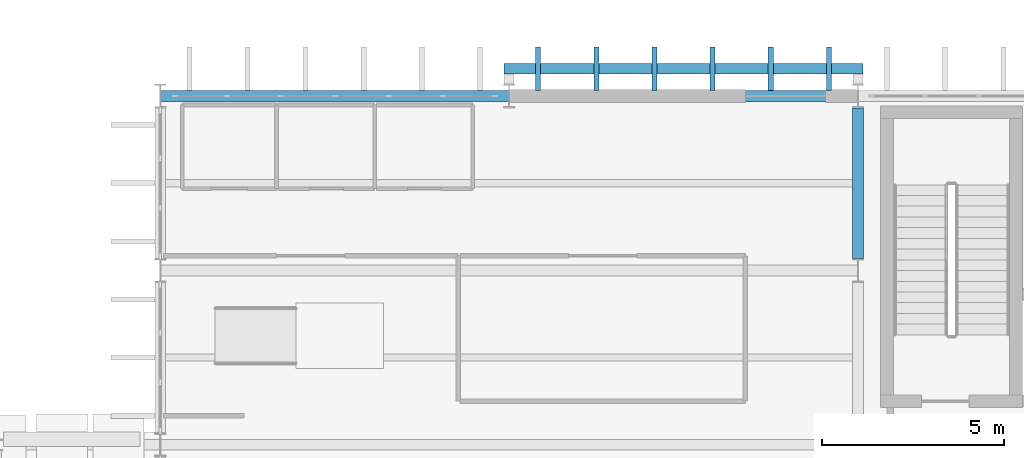
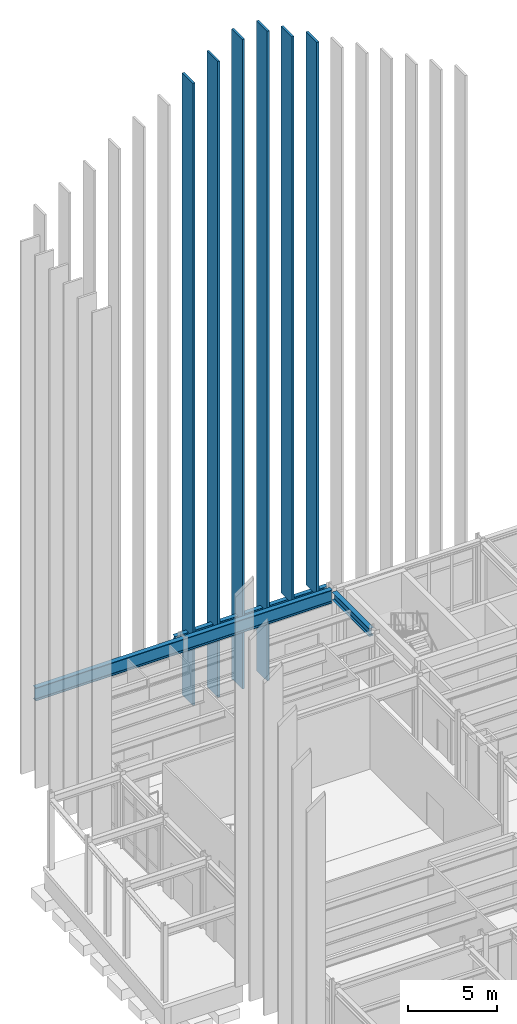
# One storey, part 51 of 109: 6 members, 3 beams.
"""IFC4 building model written with IfcOpenShell, lengths in metres."""

from ifc_helpers import new_model, si_unit, direction, frame, origin, origin_2d, place, context, subcontext, project, spatial, rectangle, i_section, extrude, material, material_profile, profile_set, type_object, element, save


model = new_model("IFC4")

# Units and contexts
model_context = context("Model", 3, precision=1e-05, world=origin(), true_north=direction((0.0, 1.0)))
body_context = subcontext(model_context, "Body", "Model", "MODEL_VIEW")
ifc_project = project(units=[si_unit("LENGTHUNIT", "METRE"), si_unit("AREAUNIT", "SQUARE_METRE"), si_unit("VOLUMEUNIT", "CUBIC_METRE"), si_unit("PLANEANGLEUNIT", "RADIAN"), si_unit("MASSUNIT", "GRAM", prefix="KILO")], contexts=[model_context])

# Site, building, storey
site_placement = place(None, origin())
site = spatial("IfcSite", under=ifc_project, at=site_placement, CompositionType="ELEMENT")
building_placement = place(site_placement, origin())
building = spatial("IfcBuilding", under=site, at=building_placement, Name="Nordkorset Police Headquarters", CompositionType="ELEMENT")
storey_placement = place(building_placement, origin())
storey = spatial("IfcBuildingStorey", under=building, at=storey_placement, Name="L00", CompositionType="ELEMENT", Elevation=0.0)

# Beams
ifc_material_1 = material(Name="Steel S355J2", Category="steel")
ifc_material_profile_1 = material_profile(ifc_material_1, i_section(OverallWidth=0.300048828125, OverallDepth=0.5400390625, WebThickness=0.012451171875, FlangeThickness=0.02392578125, FilletRadius=0.027099609375, at=origin_2d()), Name="HEA 550")
ifc_profile_set_1 = profile_set([ifc_material_profile_1], Name="Steel S355J2")
beam_type_1 = type_object("IfcBeamType", Name="Girder_HEA_550", PredefinedType="USERDEFINED", material=ifc_profile_set_1)
beam_1_placement = place(storey_placement, frame((19.199951171875, 112.324951171875, 4.72998046875), z_axis=(0.0, 1.0, 0.0), x_axis=(-1.0, 0.0, 0.0)))
element("IfcBeam", 1, at=beam_1_placement, inside=storey, type_object=beam_type_1, Name="Girder V1 L00 GY-1-6", ObjectType="GIRDER", PredefinedType="USERDEFINED", context=body_context, shape_type="SweptSolid", body=[
    extrude(i_section(OverallWidth=0.300048828125, OverallDepth=0.5400390625, WebThickness=0.012451171875, FlangeThickness=0.02392578125, FilletRadius=0.027099609375, at=origin_2d()), origin(), (0.0, 0.0, 1.0), 4.150146484375),
])
ifc_material_2 = material(Name="Steel S355J2", Category="steel")
ifc_material_profile_2 = material_profile(ifc_material_2, i_section(OverallWidth=0.300048828125, OverallDepth=0.89990234375, WebThickness=0.0185546875, FlangeThickness=0.034912109375, FilletRadius=0.030029296875, at=origin_2d()), Name="HEB 900")
ifc_profile_set_2 = profile_set([ifc_material_profile_2], Name="Steel S355J2")
beam_type_2 = type_object("IfcBeamType", Name="Girder_HEB_900", PredefinedType="USERDEFINED", material=ifc_profile_set_2)
beam_2_placement = place(storey_placement, frame((0.008056640625, 116.800048828125, 4.550048828125), z_axis=(1.0, 0.0, 0.0), x_axis=(0.0, 1.0, 0.0)))
element("IfcBeam", 2, at=beam_2_placement, inside=storey, type_object=beam_type_2, Name="Girder V1 L00 GX-7-0", ObjectType="GIRDER", PredefinedType="USERDEFINED", context=body_context, shape_type="SweptSolid", body=[
    extrude(i_section(OverallWidth=0.300048828125, OverallDepth=0.89990234375, WebThickness=0.0185546875, FlangeThickness=0.034912109375, FilletRadius=0.030029296875, at=origin_2d()), origin(), (0.0, 0.0, 1.0), 19.183837890625),
])

# Members
ifc_material_3 = material(Name="Glulam GL30c", Category="wood")
ifc_material_profile_3 = material_profile(ifc_material_3, rectangle(XDim=0.139892578125, YDim=1.199951171875, at=origin_2d()), Name="GL30C FIN 140x1200")
ifc_profile_set_3 = profile_set([ifc_material_profile_3], Name="Glulam GL30c")
member_type = type_object("IfcMemberType", Name="Member_GlulamFin_140x1200", PredefinedType="USERDEFINED", material=ifc_profile_set_3)
member_1_placement = place(storey_placement, frame((10.39990234375, 117.550048828125, 0.0), z_axis=(0.0, 0.0, 1.0), x_axis=(1.0, 0.0, 0.0)))
element("IfcMember", 3, at=member_1_placement, inside=storey, type_object=member_type, Name="Vertical Glulam Gable Fin North 055", ObjectType="VERTICAL TIMBER FIN", PredefinedType="USERDEFINED", context=body_context, shape_type="SweptSolid", body=[
    extrude(rectangle(XDim=0.139892578125, YDim=1.199951171875, at=origin_2d()), origin(), (0.0, 0.0, 1.0), 42.517822265625),
])
member_2_placement = place(storey_placement, frame((12.0, 117.550048828125, 0.0), z_axis=(0.0, 0.0, 1.0), x_axis=(1.0, 0.0, 0.0)))
element("IfcMember", 4, at=member_2_placement, inside=storey, type_object=member_type, Name="Vertical Glulam Gable Fin North 057", ObjectType="VERTICAL TIMBER FIN", PredefinedType="USERDEFINED", context=body_context, shape_type="SweptSolid", body=[
    extrude(rectangle(XDim=0.139892578125, YDim=1.199951171875, at=origin_2d()), origin(), (0.0, 0.0, 1.0), 43.456787109375),
])
for number, where, z_axis, x_axis, name in (
    (5, (13.60009765625, 117.550048828125, 0.0), (0.0, 0.0, 1.0), (1.0, 0.0, 0.0), "Vertical Glulam Gable Fin North 059"),
    (6, (15.199951171875, 117.550048828125, 0.0), (0.0, 0.0, 1.0), (1.0, 0.0, 0.0), "Vertical Glulam Gable Fin North 061"),
):
    element("IfcMember", number, at=place(storey_placement, frame(where, z_axis=z_axis, x_axis=x_axis)), inside=storey, type_object=member_type, Name=name, ObjectType="VERTICAL TIMBER FIN", PredefinedType="USERDEFINED", context=body_context, shape_type="SweptSolid", body=[
        extrude(rectangle(XDim=0.139892578125, YDim=1.199951171875, at=origin_2d()), origin(), (0.0, 0.0, 1.0), 44.3955078125),
    ])
member_3_placement = place(storey_placement, frame((16.800048828125, 117.550048828125, 4.735107421875), z_axis=(0.0, 0.0, 1.0), x_axis=(1.0, 0.0, 0.0)))
element("IfcMember", 7, at=member_3_placement, inside=storey, type_object=member_type, Name="Vertical Glulam Gable Fin North 063", ObjectType="VERTICAL TIMBER FIN", PredefinedType="USERDEFINED", context=body_context, shape_type="SweptSolid", body=[
    extrude(rectangle(XDim=0.139892578125, YDim=1.199951171875, at=origin_2d()), origin(), (0.0, 0.0, 1.0), 38.7216796875),
])
member_4_placement = place(storey_placement, frame((18.39990234375, 117.550048828125, 4.735107421875), z_axis=(0.0, 0.0, 1.0), x_axis=(1.0, 0.0, 0.0)))
element("IfcMember", 8, at=member_4_placement, inside=storey, type_object=member_type, Name="Vertical Glulam Gable Fin North 065", ObjectType="VERTICAL TIMBER FIN", PredefinedType="USERDEFINED", context=body_context, shape_type="SweptSolid", body=[
    extrude(rectangle(XDim=0.139892578125, YDim=1.199951171875, at=origin_2d()), origin(), (0.0, 0.0, 1.0), 37.78271484375),
])

# Beam
ifc_material_4 = material(Name="Steel S355J2", Category="steel")
ifc_material_profile_4 = material_profile(ifc_material_4, i_section(OverallWidth=0.280029296875, OverallDepth=0.27001953125, WebThickness=0.008056640625, FlangeThickness=0.012939453125, FilletRadius=0.02392578125, at=origin_2d()), Name="HEA 280")
ifc_profile_set_4 = profile_set([ifc_material_profile_4], Name="Steel S355J2")
beam_type_3 = type_object("IfcBeamType", Name="Spandrel_HEA_280", PredefinedType="SPANDREL", material=ifc_profile_set_4)
beam_3_placement = place(storey_placement, frame((9.4599609375, 117.550048828125, 4.60009765625), z_axis=(1.0, 0.0, 0.0), x_axis=(0.0, 1.0, 0.0)))
element("IfcBeam", 9, at=beam_3_placement, inside=storey, type_object=beam_type_3, Name="Facade Fin Support Ledger North Bay 2", PredefinedType="SPANDREL", context=body_context, shape_type="SweptSolid", body=[
    extrude(i_section(OverallWidth=0.280029296875, OverallDepth=0.27001953125, WebThickness=0.008056640625, FlangeThickness=0.012939453125, FilletRadius=0.02392578125, at=origin_2d()), origin(), (0.0, 0.0, 1.0), 9.880126953125),
])

save(model, "model.ifc")
